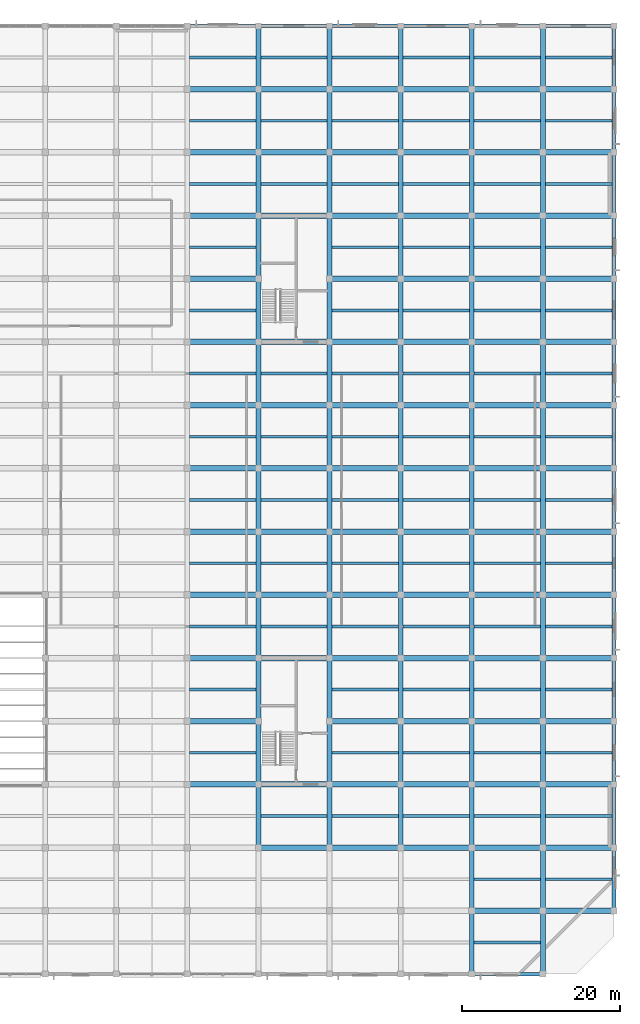
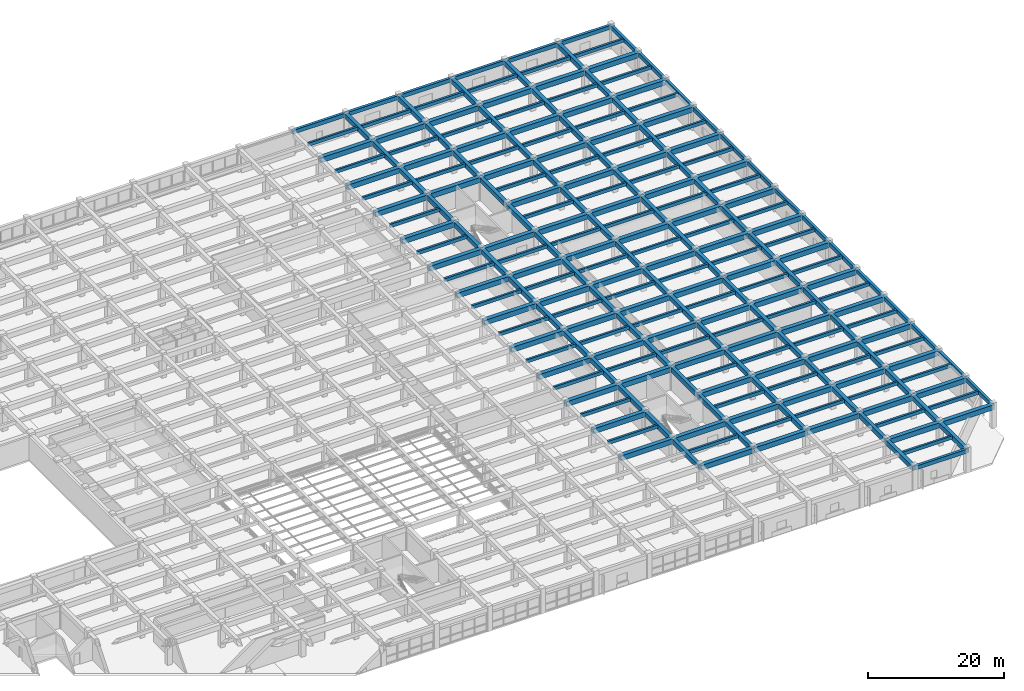
# One storey, part 19 of 50: 243 beams.
"""IFC4 building model written with IfcOpenShell, lengths in metres."""

import ifcopenshell
import ifcopenshell.guid

model = None  # the IFC model being written
_history = None  # IfcOwnerHistory: only IFC2X3 demands one
_inside = {}  # id of a spatial element -> (the spatial element, [elements in it])
_under = {}  # id of a project, library or spatial element -> (it, [spatial elements below it])
_declared = {}  # id of a project -> (the project, [libraries it declares])
_typed = {}  # id of a type object -> (the type object, [elements of that type])
_made_of = {}  # id of a material, layer set ... -> (it, [elements and type objects made of it])


def new_model(schema):
    """Start an empty IFC model of exactly this schema.

    Asked for "IFC4X3", IfcOpenShell would pick the latest addendum, in which some entities
    have other attributes; the version numbers below select the first issue.
    IFC2X3 requires an IfcOwnerHistory on every rooted entity: one is made here for all.
    """
    global model, _history
    if schema == "IFC4X3":
        model = ifcopenshell.file(schema_version=(4, 3, 0, 0))
    else:
        model = ifcopenshell.file(schema=schema)
    _inside.clear()
    _under.clear()
    _declared.clear()
    _typed.clear()
    _made_of.clear()
    _history = None
    if model.schema == "IFC2X3":
        org = make("IfcOrganization", Name="unknown")
        user = make(
            "IfcPersonAndOrganization",
            ThePerson=make("IfcPerson", FamilyName="unknown"),
            TheOrganization=org,
        )
        app = make(
            "IfcApplication",
            ApplicationDeveloper=org,
            Version="unknown",
            ApplicationFullName="unknown",
            ApplicationIdentifier="unknown",
        )
        _history = make(
            "IfcOwnerHistory",
            OwningUser=user,
            OwningApplication=app,
            ChangeAction="ADDED",
            CreationDate=0,
        )
    return model


def make(cls, **values):
    """One entity of the class cls with the attributes given. An attribute that is None is left unset."""
    return model.create_entity(
        cls, **{name: value for name, value in values.items() if value is not None}
    )


def rooted(cls, **values):
    """An entity with a GlobalId (a new one), such as an element, a storey or a relation."""
    return make(cls, GlobalId=ifcopenshell.guid.new(), OwnerHistory=_history, **values)


def si_unit(unit_type, name, prefix=None):
    """IfcSIUnit, for example si_unit("LENGTHUNIT", "METRE", prefix="MILLI")."""
    return make("IfcSIUnit", UnitType=unit_type, Prefix=prefix, Name=name)


def assignment(units):
    """IfcUnitAssignment: the units of a project."""
    return None if units is None else make("IfcUnitAssignment", Units=units)


def point(xyz):
    """IfcCartesianPoint."""
    return None if xyz is None else make("IfcCartesianPoint", Coordinates=xyz)


def direction(xyz):
    """IfcDirection."""
    return None if xyz is None else make("IfcDirection", DirectionRatios=xyz)


def frame(location, z_axis=None, x_axis=None):
    """IfcAxis2Placement3D, a coordinate frame: its origin and axes. An axis left out is left unset."""
    return make(
        "IfcAxis2Placement3D",
        Location=point(location),
        Axis=direction(z_axis),
        RefDirection=direction(x_axis),
    )


def frame_2d(location, x_axis=None):
    """IfcAxis2Placement2D, a coordinate frame in the plane: its origin and x axis."""
    return make(
        "IfcAxis2Placement2D", Location=point(location), RefDirection=direction(x_axis)
    )


def origin():
    """The frame at (0, 0, 0) with its axes left unset."""
    return frame((0.0, 0.0, 0.0))


def origin_2d():
    """The frame at (0, 0) in the plane with its x axis left unset."""
    return frame_2d((0.0, 0.0))


def place(relative_to, where):
    """IfcLocalPlacement: puts the frame where relative to a parent placement (None: the world)."""
    return make(
        "IfcLocalPlacement", PlacementRelTo=relative_to, RelativePlacement=where
    )


def context(
    kind, dimensions, precision=None, world=None, true_north=None, identifier=None
):
    """IfcGeometricRepresentationContext, for example the 3D "Model" context."""
    return make(
        "IfcGeometricRepresentationContext",
        ContextIdentifier=identifier,
        ContextType=kind,
        CoordinateSpaceDimension=dimensions,
        Precision=precision,
        WorldCoordinateSystem=world,
        TrueNorth=true_north,
    )


def subcontext(parent, identifier, kind, view, scale=None):
    """IfcGeometricRepresentationSubContext, for example "Body" below "Model"."""
    return make(
        "IfcGeometricRepresentationSubContext",
        ContextIdentifier=identifier,
        ContextType=kind,
        ParentContext=parent,
        TargetScale=scale,
        TargetView=view,
    )


def project(units=None, contexts=None):
    """IfcProject with its units and contexts."""
    return rooted(
        "IfcProject",
        Name="project",
        RepresentationContexts=contexts,
        UnitsInContext=assignment(units),
    )


def spatial(cls, under=None, at=None, **own):
    """A site, building, storey or space (cls), placed at a placement, below another one or the project."""
    s = rooted(cls, ObjectPlacement=at, **own)
    if under is not None:
        _under.setdefault(under.id(), (under, []))[1].append(s)
    return s


def profile(cls, at=None, kind="AREA", **sizes):
    """A parametric profile (cls). Its sizes go by their IFC names, for example OverallWidth=200.0."""
    return make(cls, ProfileType=kind, Position=at, **sizes)


def rectangle(**sizes):
    """IfcRectangleProfileDef."""
    return profile("IfcRectangleProfileDef", **sizes)


def extrude(swept, where, along, depth):
    """IfcExtrudedAreaSolid: the profile swept, set in the frame where, extruded along a direction by depth."""
    return make(
        "IfcExtrudedAreaSolid",
        SweptArea=swept,
        Position=where,
        ExtrudedDirection=direction(along),
        Depth=depth,
    )


def shape(context_of_items, identifier, shape_type, items):
    """IfcShapeRepresentation: the items that make up one representation, for example the "Body"."""
    return make(
        "IfcShapeRepresentation",
        ContextOfItems=context_of_items,
        RepresentationIdentifier=identifier,
        RepresentationType=shape_type,
        Items=items,
    )


def material(Name=None, Category=None):
    """IfcMaterial."""
    return make("IfcMaterial", Name=Name, Category=Category)


def material_profile(
    of_material, cross_section, Name=None, Category=None, Priority=None
):
    """IfcMaterialProfile: a cross section and its material."""
    return make(
        "IfcMaterialProfile",
        Name=Name,
        Material=of_material,
        Profile=cross_section,
        Priority=Priority,
        Category=Category,
    )


def profile_set(profiles, Name=None, composite=None):
    """IfcMaterialProfileSet."""
    return make(
        "IfcMaterialProfileSet",
        Name=Name,
        MaterialProfiles=profiles,
        CompositeProfile=composite,
    )


def made_of(thing, what):
    """Note that an element or type object is made of a material, layer set ...; save() writes the relation."""
    if what is not None:
        _made_of.setdefault(what.id(), (what, []))[1].append(thing)
    return thing


def type_object(cls, material=None, **own):
    """A type object (cls), such as IfcWallType, which elements share."""
    return made_of(rooted(cls, **own), material)


def element(
    cls,
    number,
    at=None,
    inside=None,
    cuts=None,
    type_object=None,
    material=None,
    context=None,
    identifier="Body",
    shape_type=None,
    held_by="IfcProductDefinitionShape",
    body=None,
    shapes=None,
    **own,
):
    """One element of the class cls, such as IfcWall. Its Tag is "e" and its number.

    at: its placement. inside: the storey or other place that contains it. cuts: it is an
    opening in that element (IfcRelVoidsElement). A single representation is given by context,
    identifier, shape_type and body (its items); several are given by shapes. held_by: the class
    of the entity that holds the representations. save() writes the other relations.
    """
    e = rooted(cls, Tag="e%d" % number, ObjectPlacement=at, **own)
    if body is not None:
        shapes = [shape(context, identifier, shape_type, body)]
    if shapes is not None:
        e.Representation = make(held_by, Representations=shapes)
    if inside is not None:
        _inside.setdefault(inside.id(), (inside, []))[1].append(e)
    if cuts is not None:
        rooted(
            "IfcRelVoidsElement", RelatingBuildingElement=cuts, RelatedOpeningElement=e
        )
    if type_object is not None:
        _typed.setdefault(type_object.id(), (type_object, []))[1].append(e)
    return made_of(e, material)


def aggregate(whole, parts):
    """IfcRelAggregates: a whole, such as a stair, and the parts it consists of."""
    return rooted("IfcRelAggregates", RelatingObject=whole, RelatedObjects=parts)


def save(model, path):
    """Write the relations noted so far, then the file.

    IfcRelAggregates (storeys below a building ...), IfcRelContainedInSpatialStructure (elements
    in a storey), IfcRelDefinesByType, IfcRelAssociatesMaterial and IfcRelDeclares: one each for
    every whole, place, type object, material and project.
    """
    for whole, parts in _under.values():
        aggregate(whole, parts)
    for where, things in _inside.values():
        rooted(
            "IfcRelContainedInSpatialStructure",
            RelatedElements=things,
            RelatingStructure=where,
        )
    for kind, things in _typed.values():
        rooted("IfcRelDefinesByType", RelatedObjects=things, RelatingType=kind)
    for what, things in _made_of.values():
        rooted("IfcRelAssociatesMaterial", RelatedObjects=things, RelatingMaterial=what)
    for by, libraries in _declared.values():
        rooted("IfcRelDeclares", RelatingContext=by, RelatedDefinitions=libraries)
    model.write(path)


model = new_model("IFC4")

# Units and contexts
model_context = context("Model", 3, precision=1e-05, world=origin(), true_north=direction((0.0, 1.0)))
body_context = subcontext(model_context, "Body", "Model", "MODEL_VIEW")
ifc_project = project(units=[si_unit("LENGTHUNIT", "METRE"), si_unit("AREAUNIT", "SQUARE_METRE"), si_unit("VOLUMEUNIT", "CUBIC_METRE"), si_unit("PLANEANGLEUNIT", "RADIAN"), si_unit("MASSUNIT", "GRAM", prefix="KILO")], contexts=[model_context])

# Site, building, storey
site_placement = place(None, origin())
site = spatial("IfcSite", under=ifc_project, at=site_placement, CompositionType="ELEMENT")
building_placement = place(site_placement, origin())
building = spatial("IfcBuilding", under=site, at=building_placement, Name="Zaverband Oceanarium and Marine Research Institute", CompositionType="ELEMENT")
storey_placement = place(building_placement, frame((0.0, 0.0, 9.0)))
storey = spatial("IfcBuildingStorey", under=building, at=storey_placement, Name="L02", CompositionType="ELEMENT", Elevation=9.0)

# Beams
ifc_material = material(Name="Concrete C40/50", Category="concrete")
ifc_material_profile_1 = material_profile(ifc_material, rectangle(XDim=0.60009765625, YDim=0.85009765625, at=origin_2d()), Name="RC600x850")
ifc_profile_set_1 = profile_set([ifc_material_profile_1], Name="Concrete C40/50")
beam_type_1 = type_object("IfcBeamType", Name="BM-600x850", PredefinedType="BEAM", material=ifc_profile_set_1)
for number, where, z_axis, x_axis, name in (
    (1, (135.0, 16.0, 3.715087890625), (0.0, 1.0, 0.0), (-1.0, 0.0, 0.0), "Primary floor girder BM-600x850"),
    (2, (135.0, 24.0, 3.715087890625), (0.0, 1.0, 0.0), (-1.0, 0.0, 0.0), "Primary floor girder BM-600x850"),
    (3, (135.0, 32.0, 3.715087890625), (0.0, 1.0, 0.0), (-1.0, 0.0, 0.0), "Primary floor girder BM-600x850"),
    (4, (135.0, 40.0, 3.715087890625), (0.0, 1.0, 0.0), (-1.0, 0.0, 0.0), "Primary floor girder BM-600x850"),
    (5, (135.0, 48.0, 3.715087890625), (0.0, 1.0, 0.0), (-1.0, 0.0, 0.0), "Primary floor girder BM-600x850"),
    (6, (135.0, 56.0, 3.715087890625), (0.0, 1.0, 0.0), (-1.0, 0.0, 0.0), "Primary floor girder BM-600x850"),
    (7, (135.0, 64.0, 3.715087890625), (0.0, 1.0, 0.0), (-1.0, 0.0, 0.0), "Primary floor girder BM-600x850"),
    (8, (135.0, 72.0, 3.715087890625), (0.0, 1.0, 0.0), (-1.0, 0.0, 0.0), "Primary floor girder BM-600x850"),
    (9, (135.0, 80.0, 3.715087890625), (0.0, 1.0, 0.0), (-1.0, 0.0, 0.0), "Primary floor girder BM-600x850"),
    (10, (135.0, 88.0, 3.715087890625), (0.0, 1.0, 0.0), (-1.0, 0.0, 0.0), "Primary floor girder BM-600x850"),
    (11, (135.0, 96.0, 3.715087890625), (0.0, 1.0, 0.0), (-1.0, 0.0, 0.0), "Primary floor girder BM-600x850"),
    (12, (135.0, 104.0, 3.715087890625), (0.0, 1.0, 0.0), (-1.0, 0.0, 0.0), "Primary floor girder BM-600x850"),
    (13, (135.0, 112.0, 3.715087890625), (0.0, 1.0, 0.0), (-1.0, 0.0, 0.0), "Primary floor girder BM-600x850"),
    (14, (144.0, 16.0, 3.715087890625), (0.0, 1.0, 0.0), (-1.0, 0.0, 0.0), "Primary floor girder BM-600x850"),
    (15, (144.0, 24.0, 3.715087890625), (0.0, 1.0, 0.0), (-1.0, 0.0, 0.0), "Primary floor girder BM-600x850"),
    (16, (144.0, 32.0, 3.715087890625), (0.0, 1.0, 0.0), (-1.0, 0.0, 0.0), "Primary floor girder BM-600x850"),
    (17, (144.0, 40.0, 3.715087890625), (0.0, 1.0, 0.0), (-1.0, 0.0, 0.0), "Primary floor girder BM-600x850"),
    (18, (144.0, 48.0, 3.715087890625), (0.0, 1.0, 0.0), (-1.0, 0.0, 0.0), "Primary floor girder BM-600x850"),
    (19, (144.0, 56.0, 3.715087890625), (0.0, 1.0, 0.0), (-1.0, 0.0, 0.0), "Primary floor girder BM-600x850"),
    (20, (144.0, 64.0, 3.715087890625), (0.0, 1.0, 0.0), (-1.0, 0.0, 0.0), "Primary floor girder BM-600x850"),
    (21, (144.0, 72.0, 3.715087890625), (0.0, 1.0, 0.0), (-1.0, 0.0, 0.0), "Primary floor girder BM-600x850"),
    (22, (144.0, 80.0, 3.715087890625), (0.0, 1.0, 0.0), (-1.0, 0.0, 0.0), "Primary floor girder BM-600x850"),
    (23, (144.0, 88.0, 3.715087890625), (0.0, 1.0, 0.0), (-1.0, 0.0, 0.0), "Primary floor girder BM-600x850"),
    (24, (144.0, 96.0, 3.715087890625), (0.0, 1.0, 0.0), (-1.0, 0.0, 0.0), "Primary floor girder BM-600x850"),
    (25, (144.0, 104.0, 3.715087890625), (0.0, 1.0, 0.0), (-1.0, 0.0, 0.0), "Primary floor girder BM-600x850"),
    (26, (144.0, 112.0, 3.715087890625), (0.0, 1.0, 0.0), (-1.0, 0.0, 0.0), "Primary floor girder BM-600x850"),
    (27, (153.0, 16.0, 3.715087890625), (0.0, 1.0, 0.0), (-1.0, 0.0, 0.0), "Primary floor girder BM-600x850"),
    (28, (153.0, 24.0, 3.715087890625), (0.0, 1.0, 0.0), (-1.0, 0.0, 0.0), "Primary floor girder BM-600x850"),
    (29, (153.0, 32.0, 3.715087890625), (0.0, 1.0, 0.0), (-1.0, 0.0, 0.0), "Primary floor girder BM-600x850"),
    (30, (153.0, 40.0, 3.715087890625), (0.0, 1.0, 0.0), (-1.0, 0.0, 0.0), "Primary floor girder BM-600x850"),
    (31, (153.0, 48.0, 3.715087890625), (0.0, 1.0, 0.0), (-1.0, 0.0, 0.0), "Primary floor girder BM-600x850"),
    (32, (153.0, 56.0, 3.715087890625), (0.0, 1.0, 0.0), (-1.0, 0.0, 0.0), "Primary floor girder BM-600x850"),
    (33, (153.0, 64.0, 3.715087890625), (0.0, 1.0, 0.0), (-1.0, 0.0, 0.0), "Primary floor girder BM-600x850"),
    (34, (153.0, 72.0, 3.715087890625), (0.0, 1.0, 0.0), (-1.0, 0.0, 0.0), "Primary floor girder BM-600x850"),
    (35, (153.0, 80.0, 3.715087890625), (0.0, 1.0, 0.0), (-1.0, 0.0, 0.0), "Primary floor girder BM-600x850"),
    (36, (153.0, 88.0, 3.715087890625), (0.0, 1.0, 0.0), (-1.0, 0.0, 0.0), "Primary floor girder BM-600x850"),
    (37, (153.0, 96.0, 3.715087890625), (0.0, 1.0, 0.0), (-1.0, 0.0, 0.0), "Primary floor girder BM-600x850"),
    (38, (153.0, 104.0, 3.715087890625), (0.0, 1.0, 0.0), (-1.0, 0.0, 0.0), "Primary floor girder BM-600x850"),
    (39, (153.0, 112.0, 3.715087890625), (0.0, 1.0, 0.0), (-1.0, 0.0, 0.0), "Primary floor girder BM-600x850"),
    (40, (162.0, 0.0, 3.715087890625), (0.0, 1.0, 0.0), (-1.0, 0.0, 0.0), "Primary floor girder BM-600x850"),
    (41, (162.0, 8.0, 3.715087890625), (0.0, 1.0, 0.0), (-1.0, 0.0, 0.0), "Primary floor girder BM-600x850"),
    (42, (162.0, 16.0, 3.715087890625), (0.0, 1.0, 0.0), (-1.0, 0.0, 0.0), "Primary floor girder BM-600x850"),
    (43, (162.0, 24.0, 3.715087890625), (0.0, 1.0, 0.0), (-1.0, 0.0, 0.0), "Primary floor girder BM-600x850"),
    (44, (162.0, 32.0, 3.715087890625), (0.0, 1.0, 0.0), (-1.0, 0.0, 0.0), "Primary floor girder BM-600x850"),
    (45, (162.0, 40.0, 3.715087890625), (0.0, 1.0, 0.0), (-1.0, 0.0, 0.0), "Primary floor girder BM-600x850"),
    (46, (162.0, 48.0, 3.715087890625), (0.0, 1.0, 0.0), (-1.0, 0.0, 0.0), "Primary floor girder BM-600x850"),
    (47, (162.0, 56.0, 3.715087890625), (0.0, 1.0, 0.0), (-1.0, 0.0, 0.0), "Primary floor girder BM-600x850"),
    (48, (162.0, 64.0, 3.715087890625), (0.0, 1.0, 0.0), (-1.0, 0.0, 0.0), "Primary floor girder BM-600x850"),
    (49, (162.0, 72.0, 3.715087890625), (0.0, 1.0, 0.0), (-1.0, 0.0, 0.0), "Primary floor girder BM-600x850"),
    (50, (162.0, 80.0, 3.715087890625), (0.0, 1.0, 0.0), (-1.0, 0.0, 0.0), "Primary floor girder BM-600x850"),
    (51, (162.0, 88.0, 3.715087890625), (0.0, 1.0, 0.0), (-1.0, 0.0, 0.0), "Primary floor girder BM-600x850"),
    (52, (162.0, 96.0, 3.715087890625), (0.0, 1.0, 0.0), (-1.0, 0.0, 0.0), "Primary floor girder BM-600x850"),
    (53, (162.0, 104.0, 3.715087890625), (0.0, 1.0, 0.0), (-1.0, 0.0, 0.0), "Primary floor girder BM-600x850"),
    (54, (162.0, 112.0, 3.715087890625), (0.0, 1.0, 0.0), (-1.0, 0.0, 0.0), "Primary floor girder BM-600x850"),
    (55, (171.0, 0.0, 3.715087890625), (0.0, 1.0, 0.0), (-1.0, 0.0, 0.0), "Primary floor girder BM-600x850"),
    (56, (171.0, 8.0, 3.715087890625), (0.0, 1.0, 0.0), (-1.0, 0.0, 0.0), "Primary floor girder BM-600x850"),
    (57, (171.0, 16.0, 3.715087890625), (0.0, 1.0, 0.0), (-1.0, 0.0, 0.0), "Primary floor girder BM-600x850"),
    (58, (171.0, 24.0, 3.715087890625), (0.0, 1.0, 0.0), (-1.0, 0.0, 0.0), "Primary floor girder BM-600x850"),
    (59, (171.0, 32.0, 3.715087890625), (0.0, 1.0, 0.0), (-1.0, 0.0, 0.0), "Primary floor girder BM-600x850"),
    (60, (171.0, 40.0, 3.715087890625), (0.0, 1.0, 0.0), (-1.0, 0.0, 0.0), "Primary floor girder BM-600x850"),
    (61, (171.0, 48.0, 3.715087890625), (0.0, 1.0, 0.0), (-1.0, 0.0, 0.0), "Primary floor girder BM-600x850"),
    (62, (171.0, 56.0, 3.715087890625), (0.0, 1.0, 0.0), (-1.0, 0.0, 0.0), "Primary floor girder BM-600x850"),
    (63, (171.0, 64.0, 3.715087890625), (0.0, 1.0, 0.0), (-1.0, 0.0, 0.0), "Primary floor girder BM-600x850"),
    (64, (171.0, 72.0, 3.715087890625), (0.0, 1.0, 0.0), (-1.0, 0.0, 0.0), "Primary floor girder BM-600x850"),
    (65, (171.0, 80.0, 3.715087890625), (0.0, 1.0, 0.0), (-1.0, 0.0, 0.0), "Primary floor girder BM-600x850"),
    (66, (171.0, 88.0, 3.715087890625), (0.0, 1.0, 0.0), (-1.0, 0.0, 0.0), "Primary floor girder BM-600x850"),
    (67, (171.0, 96.0, 3.715087890625), (0.0, 1.0, 0.0), (-1.0, 0.0, 0.0), "Primary floor girder BM-600x850"),
    (68, (171.0, 104.0, 3.715087890625), (0.0, 1.0, 0.0), (-1.0, 0.0, 0.0), "Primary floor girder BM-600x850"),
    (69, (171.0, 112.0, 3.715087890625), (0.0, 1.0, 0.0), (-1.0, 0.0, 0.0), "Primary floor girder BM-600x850"),
):
    element("IfcBeam", number, at=place(storey_placement, frame(where, z_axis=z_axis, x_axis=x_axis)), inside=storey, type_object=beam_type_1, Name=name, PredefinedType="BEAM", context=body_context, shape_type="SweptSolid", body=[
        extrude(rectangle(XDim=0.60009765625, YDim=0.85009765625, at=origin_2d()), origin(), (0.0, 0.0, 1.0), 8.0),
    ])
ifc_material_profile_2 = material_profile(ifc_material, rectangle(XDim=0.699951171875, YDim=0.89990234375, at=origin_2d()), Name="RC700x900")
ifc_profile_set_2 = profile_set([ifc_material_profile_2], Name="Concrete C40/50")
beam_type_2 = type_object("IfcBeamType", Name="BM-700x900", PredefinedType="BEAM", material=ifc_profile_set_2)
for number, where, z_axis, x_axis, name in (
    (70, (162.0, 8.0, 3.68994140625), (1.0, 0.0, 0.0), (0.0, 1.0, 0.0), "Primary floor girder BM-700x900"),
    (71, (171.0, 8.0, 3.68994140625), (1.0, 0.0, 0.0), (0.0, 1.0, 0.0), "Primary floor girder BM-700x900"),
    (72, (135.0, 16.0, 3.68994140625), (1.0, 0.0, 0.0), (0.0, 1.0, 0.0), "Primary floor girder BM-700x900"),
    (73, (144.0, 16.0, 3.68994140625), (1.0, 0.0, 0.0), (0.0, 1.0, 0.0), "Primary floor girder BM-700x900"),
    (74, (153.0, 16.0, 3.68994140625), (1.0, 0.0, 0.0), (0.0, 1.0, 0.0), "Primary floor girder BM-700x900"),
    (75, (162.0, 16.0, 3.68994140625), (1.0, 0.0, 0.0), (0.0, 1.0, 0.0), "Primary floor girder BM-700x900"),
    (76, (171.0, 16.0, 3.68994140625), (1.0, 0.0, 0.0), (0.0, 1.0, 0.0), "Primary floor girder BM-700x900"),
    (77, (126.0, 24.0, 3.68994140625), (1.0, 0.0, 0.0), (0.0, 1.0, 0.0), "Primary floor girder BM-700x900"),
    (78, (135.0, 24.0, 3.68994140625), (1.0, 0.0, 0.0), (0.0, 1.0, 0.0), "Primary floor girder BM-700x900"),
    (79, (144.0, 24.0, 3.68994140625), (1.0, 0.0, 0.0), (0.0, 1.0, 0.0), "Primary floor girder BM-700x900"),
    (80, (153.0, 24.0, 3.68994140625), (1.0, 0.0, 0.0), (0.0, 1.0, 0.0), "Primary floor girder BM-700x900"),
    (81, (162.0, 24.0, 3.68994140625), (1.0, 0.0, 0.0), (0.0, 1.0, 0.0), "Primary floor girder BM-700x900"),
    (82, (171.0, 24.0, 3.68994140625), (1.0, 0.0, 0.0), (0.0, 1.0, 0.0), "Primary floor girder BM-700x900"),
    (83, (126.0, 32.0, 3.68994140625), (1.0, 0.0, 0.0), (0.0, 1.0, 0.0), "Primary floor girder BM-700x900"),
    (84, (144.0, 32.0, 3.68994140625), (1.0, 0.0, 0.0), (0.0, 1.0, 0.0), "Primary floor girder BM-700x900"),
    (85, (153.0, 32.0, 3.68994140625), (1.0, 0.0, 0.0), (0.0, 1.0, 0.0), "Primary floor girder BM-700x900"),
    (86, (162.0, 32.0, 3.68994140625), (1.0, 0.0, 0.0), (0.0, 1.0, 0.0), "Primary floor girder BM-700x900"),
    (87, (171.0, 32.0, 3.68994140625), (1.0, 0.0, 0.0), (0.0, 1.0, 0.0), "Primary floor girder BM-700x900"),
    (88, (126.0, 40.0, 3.68994140625), (1.0, 0.0, 0.0), (0.0, 1.0, 0.0), "Primary floor girder BM-700x900"),
    (89, (135.0, 40.0, 3.68994140625), (1.0, 0.0, 0.0), (0.0, 1.0, 0.0), "Primary floor girder BM-700x900"),
    (90, (144.0, 40.0, 3.68994140625), (1.0, 0.0, 0.0), (0.0, 1.0, 0.0), "Primary floor girder BM-700x900"),
    (91, (153.0, 40.0, 3.68994140625), (1.0, 0.0, 0.0), (0.0, 1.0, 0.0), "Primary floor girder BM-700x900"),
    (92, (162.0, 40.0, 3.68994140625), (1.0, 0.0, 0.0), (0.0, 1.0, 0.0), "Primary floor girder BM-700x900"),
    (93, (171.0, 40.0, 3.68994140625), (1.0, 0.0, 0.0), (0.0, 1.0, 0.0), "Primary floor girder BM-700x900"),
    (94, (126.0, 48.0, 3.68994140625), (1.0, 0.0, 0.0), (0.0, 1.0, 0.0), "Primary floor girder BM-700x900"),
    (95, (135.0, 48.0, 3.68994140625), (1.0, 0.0, 0.0), (0.0, 1.0, 0.0), "Primary floor girder BM-700x900"),
    (96, (144.0, 48.0, 3.68994140625), (1.0, 0.0, 0.0), (0.0, 1.0, 0.0), "Primary floor girder BM-700x900"),
    (97, (153.0, 48.0, 3.68994140625), (1.0, 0.0, 0.0), (0.0, 1.0, 0.0), "Primary floor girder BM-700x900"),
    (98, (162.0, 48.0, 3.68994140625), (1.0, 0.0, 0.0), (0.0, 1.0, 0.0), "Primary floor girder BM-700x900"),
    (99, (171.0, 48.0, 3.68994140625), (1.0, 0.0, 0.0), (0.0, 1.0, 0.0), "Primary floor girder BM-700x900"),
    (100, (126.0, 56.0, 3.68994140625), (1.0, 0.0, 0.0), (0.0, 1.0, 0.0), "Primary floor girder BM-700x900"),
    (101, (135.0, 56.0, 3.68994140625), (1.0, 0.0, 0.0), (0.0, 1.0, 0.0), "Primary floor girder BM-700x900"),
    (102, (144.0, 56.0, 3.68994140625), (1.0, 0.0, 0.0), (0.0, 1.0, 0.0), "Primary floor girder BM-700x900"),
    (103, (153.0, 56.0, 3.68994140625), (1.0, 0.0, 0.0), (0.0, 1.0, 0.0), "Primary floor girder BM-700x900"),
    (104, (162.0, 56.0, 3.68994140625), (1.0, 0.0, 0.0), (0.0, 1.0, 0.0), "Primary floor girder BM-700x900"),
    (105, (171.0, 56.0, 3.68994140625), (1.0, 0.0, 0.0), (0.0, 1.0, 0.0), "Primary floor girder BM-700x900"),
    (106, (126.0, 64.0, 3.68994140625), (1.0, 0.0, 0.0), (0.0, 1.0, 0.0), "Primary floor girder BM-700x900"),
    (107, (135.0, 64.0, 3.68994140625), (1.0, 0.0, 0.0), (0.0, 1.0, 0.0), "Primary floor girder BM-700x900"),
    (108, (144.0, 64.0, 3.68994140625), (1.0, 0.0, 0.0), (0.0, 1.0, 0.0), "Primary floor girder BM-700x900"),
    (109, (153.0, 64.0, 3.68994140625), (1.0, 0.0, 0.0), (0.0, 1.0, 0.0), "Primary floor girder BM-700x900"),
    (110, (162.0, 64.0, 3.68994140625), (1.0, 0.0, 0.0), (0.0, 1.0, 0.0), "Primary floor girder BM-700x900"),
    (111, (171.0, 64.0, 3.68994140625), (1.0, 0.0, 0.0), (0.0, 1.0, 0.0), "Primary floor girder BM-700x900"),
    (112, (126.0, 72.0, 3.68994140625), (1.0, 0.0, 0.0), (0.0, 1.0, 0.0), "Primary floor girder BM-700x900"),
    (113, (135.0, 72.0, 3.68994140625), (1.0, 0.0, 0.0), (0.0, 1.0, 0.0), "Primary floor girder BM-700x900"),
    (114, (144.0, 72.0, 3.68994140625), (1.0, 0.0, 0.0), (0.0, 1.0, 0.0), "Primary floor girder BM-700x900"),
    (115, (153.0, 72.0, 3.68994140625), (1.0, 0.0, 0.0), (0.0, 1.0, 0.0), "Primary floor girder BM-700x900"),
    (116, (162.0, 72.0, 3.68994140625), (1.0, 0.0, 0.0), (0.0, 1.0, 0.0), "Primary floor girder BM-700x900"),
    (117, (171.0, 72.0, 3.68994140625), (1.0, 0.0, 0.0), (0.0, 1.0, 0.0), "Primary floor girder BM-700x900"),
    (118, (126.0, 80.0, 3.68994140625), (1.0, 0.0, 0.0), (0.0, 1.0, 0.0), "Primary floor girder BM-700x900"),
    (119, (135.0, 80.0, 3.68994140625), (1.0, 0.0, 0.0), (0.0, 1.0, 0.0), "Primary floor girder BM-700x900"),
    (120, (144.0, 80.0, 3.68994140625), (1.0, 0.0, 0.0), (0.0, 1.0, 0.0), "Primary floor girder BM-700x900"),
    (121, (153.0, 80.0, 3.68994140625), (1.0, 0.0, 0.0), (0.0, 1.0, 0.0), "Primary floor girder BM-700x900"),
    (122, (162.0, 80.0, 3.68994140625), (1.0, 0.0, 0.0), (0.0, 1.0, 0.0), "Primary floor girder BM-700x900"),
    (123, (171.0, 80.0, 3.68994140625), (1.0, 0.0, 0.0), (0.0, 1.0, 0.0), "Primary floor girder BM-700x900"),
    (124, (126.0, 88.0, 3.68994140625), (1.0, 0.0, 0.0), (0.0, 1.0, 0.0), "Primary floor girder BM-700x900"),
    (125, (144.0, 88.0, 3.68994140625), (1.0, 0.0, 0.0), (0.0, 1.0, 0.0), "Primary floor girder BM-700x900"),
    (126, (153.0, 88.0, 3.68994140625), (1.0, 0.0, 0.0), (0.0, 1.0, 0.0), "Primary floor girder BM-700x900"),
    (127, (162.0, 88.0, 3.68994140625), (1.0, 0.0, 0.0), (0.0, 1.0, 0.0), "Primary floor girder BM-700x900"),
    (128, (171.0, 88.0, 3.68994140625), (1.0, 0.0, 0.0), (0.0, 1.0, 0.0), "Primary floor girder BM-700x900"),
    (129, (126.0, 96.0, 3.68994140625), (1.0, 0.0, 0.0), (0.0, 1.0, 0.0), "Primary floor girder BM-700x900"),
    (130, (135.0, 96.0, 3.68994140625), (1.0, 0.0, 0.0), (0.0, 1.0, 0.0), "Primary floor girder BM-700x900"),
    (131, (144.0, 96.0, 3.68994140625), (1.0, 0.0, 0.0), (0.0, 1.0, 0.0), "Primary floor girder BM-700x900"),
    (132, (153.0, 96.0, 3.68994140625), (1.0, 0.0, 0.0), (0.0, 1.0, 0.0), "Primary floor girder BM-700x900"),
    (133, (162.0, 96.0, 3.68994140625), (1.0, 0.0, 0.0), (0.0, 1.0, 0.0), "Primary floor girder BM-700x900"),
    (134, (171.0, 96.0, 3.68994140625), (1.0, 0.0, 0.0), (0.0, 1.0, 0.0), "Primary floor girder BM-700x900"),
    (135, (126.0, 104.0, 3.68994140625), (1.0, 0.0, 0.0), (0.0, 1.0, 0.0), "Primary floor girder BM-700x900"),
    (136, (135.0, 104.0, 3.68994140625), (1.0, 0.0, 0.0), (0.0, 1.0, 0.0), "Primary floor girder BM-700x900"),
    (137, (144.0, 104.0, 3.68994140625), (1.0, 0.0, 0.0), (0.0, 1.0, 0.0), "Primary floor girder BM-700x900"),
    (138, (153.0, 104.0, 3.68994140625), (1.0, 0.0, 0.0), (0.0, 1.0, 0.0), "Primary floor girder BM-700x900"),
    (139, (162.0, 104.0, 3.68994140625), (1.0, 0.0, 0.0), (0.0, 1.0, 0.0), "Primary floor girder BM-700x900"),
    (140, (171.0, 104.0, 3.68994140625), (1.0, 0.0, 0.0), (0.0, 1.0, 0.0), "Primary floor girder BM-700x900"),
    (141, (126.0, 112.0, 3.68994140625), (1.0, 0.0, 0.0), (0.0, 1.0, 0.0), "Primary floor girder BM-700x900"),
    (142, (135.0, 112.0, 3.68994140625), (1.0, 0.0, 0.0), (0.0, 1.0, 0.0), "Primary floor girder BM-700x900"),
    (143, (144.0, 112.0, 3.68994140625), (1.0, 0.0, 0.0), (0.0, 1.0, 0.0), "Primary floor girder BM-700x900"),
    (144, (153.0, 112.0, 3.68994140625), (1.0, 0.0, 0.0), (0.0, 1.0, 0.0), "Primary floor girder BM-700x900"),
    (145, (162.0, 112.0, 3.68994140625), (1.0, 0.0, 0.0), (0.0, 1.0, 0.0), "Primary floor girder BM-700x900"),
    (146, (171.0, 112.0, 3.68994140625), (1.0, 0.0, 0.0), (0.0, 1.0, 0.0), "Primary floor girder BM-700x900"),
):
    element("IfcBeam", number, at=place(storey_placement, frame(where, z_axis=z_axis, x_axis=x_axis)), inside=storey, type_object=beam_type_2, Name=name, PredefinedType="BEAM", context=body_context, shape_type="SweptSolid", body=[
        extrude(rectangle(XDim=0.699951171875, YDim=0.89990234375, at=origin_2d()), origin(), (0.0, 0.0, 1.0), 9.0),
    ])
ifc_material_profile_3 = material_profile(ifc_material, rectangle(XDim=0.35009765625, YDim=0.60009765625, at=origin_2d()), Name="RC350x600")
ifc_profile_set_3 = profile_set([ifc_material_profile_3], Name="Concrete C40/50")
beam_type_3 = type_object("IfcBeamType", Name="JST-350x600", PredefinedType="JOIST", material=ifc_profile_set_3)
for number, where, z_axis, x_axis, name in (
    (147, (126.300048828125, 28.0, 3.840087890625), (1.0, 0.0, 0.0), (0.0, 1.0, 0.0), "Secondary floor joist JST-350x600"),
    (148, (126.300048828125, 36.0, 3.840087890625), (1.0, 0.0, 0.0), (0.0, 1.0, 0.0), "Secondary floor joist JST-350x600"),
    (149, (126.300048828125, 44.0, 3.840087890625), (1.0, 0.0, 0.0), (0.0, 1.0, 0.0), "Secondary floor joist JST-350x600"),
    (150, (126.300048828125, 52.0, 3.840087890625), (1.0, 0.0, 0.0), (0.0, 1.0, 0.0), "Secondary floor joist JST-350x600"),
    (151, (126.300048828125, 60.0, 3.840087890625), (1.0, 0.0, 0.0), (0.0, 1.0, 0.0), "Secondary floor joist JST-350x600"),
    (152, (126.300048828125, 68.0, 3.840087890625), (1.0, 0.0, 0.0), (0.0, 1.0, 0.0), "Secondary floor joist JST-350x600"),
    (153, (126.300048828125, 76.0, 3.840087890625), (1.0, 0.0, 0.0), (0.0, 1.0, 0.0), "Secondary floor joist JST-350x600"),
    (154, (126.300048828125, 84.0, 3.840087890625), (1.0, 0.0, 0.0), (0.0, 1.0, 0.0), "Secondary floor joist JST-350x600"),
    (155, (126.300048828125, 92.0, 3.840087890625), (1.0, 0.0, 0.0), (0.0, 1.0, 0.0), "Secondary floor joist JST-350x600"),
    (156, (126.300048828125, 100.0, 3.840087890625), (1.0, 0.0, 0.0), (0.0, 1.0, 0.0), "Secondary floor joist JST-350x600"),
    (157, (126.300048828125, 108.0, 3.840087890625), (1.0, 0.0, 0.0), (0.0, 1.0, 0.0), "Secondary floor joist JST-350x600"),
    (158, (126.300048828125, 116.0, 3.840087890625), (1.0, 0.0, 0.0), (0.0, 1.0, 0.0), "Secondary floor joist JST-350x600"),
    (159, (135.300048828125, 20.0, 3.840087890625), (1.0, 0.0, 0.0), (0.0, 1.0, 0.0), "Secondary floor joist JST-350x600"),
    (160, (135.300048828125, 44.0, 3.840087890625), (1.0, 0.0, 0.0), (0.0, 1.0, 0.0), "Secondary floor joist JST-350x600"),
    (161, (135.300048828125, 52.0, 3.840087890625), (1.0, 0.0, 0.0), (0.0, 1.0, 0.0), "Secondary floor joist JST-350x600"),
    (162, (135.300048828125, 60.0, 3.840087890625), (1.0, 0.0, 0.0), (0.0, 1.0, 0.0), "Secondary floor joist JST-350x600"),
    (163, (135.300048828125, 68.0, 3.840087890625), (1.0, 0.0, 0.0), (0.0, 1.0, 0.0), "Secondary floor joist JST-350x600"),
    (164, (135.300048828125, 76.0, 3.840087890625), (1.0, 0.0, 0.0), (0.0, 1.0, 0.0), "Secondary floor joist JST-350x600"),
    (165, (135.300048828125, 100.0, 3.840087890625), (1.0, 0.0, 0.0), (0.0, 1.0, 0.0), "Secondary floor joist JST-350x600"),
    (166, (135.300048828125, 108.0, 3.840087890625), (1.0, 0.0, 0.0), (0.0, 1.0, 0.0), "Secondary floor joist JST-350x600"),
    (167, (135.300048828125, 116.0, 3.840087890625), (1.0, 0.0, 0.0), (0.0, 1.0, 0.0), "Secondary floor joist JST-350x600"),
    (168, (144.300048828125, 20.0, 3.840087890625), (1.0, 0.0, 0.0), (0.0, 1.0, 0.0), "Secondary floor joist JST-350x600"),
    (169, (144.300048828125, 28.0, 3.840087890625), (1.0, 0.0, 0.0), (0.0, 1.0, 0.0), "Secondary floor joist JST-350x600"),
    (170, (144.300048828125, 36.0, 3.840087890625), (1.0, 0.0, 0.0), (0.0, 1.0, 0.0), "Secondary floor joist JST-350x600"),
    (171, (144.300048828125, 44.0, 3.840087890625), (1.0, 0.0, 0.0), (0.0, 1.0, 0.0), "Secondary floor joist JST-350x600"),
    (172, (144.300048828125, 52.0, 3.840087890625), (1.0, 0.0, 0.0), (0.0, 1.0, 0.0), "Secondary floor joist JST-350x600"),
    (173, (144.300048828125, 60.0, 3.840087890625), (1.0, 0.0, 0.0), (0.0, 1.0, 0.0), "Secondary floor joist JST-350x600"),
    (174, (144.300048828125, 68.0, 3.840087890625), (1.0, 0.0, 0.0), (0.0, 1.0, 0.0), "Secondary floor joist JST-350x600"),
    (175, (144.300048828125, 76.0, 3.840087890625), (1.0, 0.0, 0.0), (0.0, 1.0, 0.0), "Secondary floor joist JST-350x600"),
    (176, (144.300048828125, 84.0, 3.840087890625), (1.0, 0.0, 0.0), (0.0, 1.0, 0.0), "Secondary floor joist JST-350x600"),
    (177, (144.300048828125, 92.0, 3.840087890625), (1.0, 0.0, 0.0), (0.0, 1.0, 0.0), "Secondary floor joist JST-350x600"),
    (178, (144.300048828125, 100.0, 3.840087890625), (1.0, 0.0, 0.0), (0.0, 1.0, 0.0), "Secondary floor joist JST-350x600"),
    (179, (144.300048828125, 108.0, 3.840087890625), (1.0, 0.0, 0.0), (0.0, 1.0, 0.0), "Secondary floor joist JST-350x600"),
    (180, (144.300048828125, 116.0, 3.840087890625), (1.0, 0.0, 0.0), (0.0, 1.0, 0.0), "Secondary floor joist JST-350x600"),
    (181, (153.300048828125, 20.0, 3.840087890625), (1.0, 0.0, 0.0), (0.0, 1.0, 0.0), "Secondary floor joist JST-350x600"),
    (182, (153.300048828125, 28.0, 3.840087890625), (1.0, 0.0, 0.0), (0.0, 1.0, 0.0), "Secondary floor joist JST-350x600"),
    (183, (153.300048828125, 36.0, 3.840087890625), (1.0, 0.0, 0.0), (0.0, 1.0, 0.0), "Secondary floor joist JST-350x600"),
    (184, (153.300048828125, 44.0, 3.840087890625), (1.0, 0.0, 0.0), (0.0, 1.0, 0.0), "Secondary floor joist JST-350x600"),
    (185, (153.300048828125, 52.0, 3.840087890625), (1.0, 0.0, 0.0), (0.0, 1.0, 0.0), "Secondary floor joist JST-350x600"),
    (186, (153.300048828125, 60.0, 3.840087890625), (1.0, 0.0, 0.0), (0.0, 1.0, 0.0), "Secondary floor joist JST-350x600"),
    (187, (153.300048828125, 68.0, 3.840087890625), (1.0, 0.0, 0.0), (0.0, 1.0, 0.0), "Secondary floor joist JST-350x600"),
    (188, (153.300048828125, 76.0, 3.840087890625), (1.0, 0.0, 0.0), (0.0, 1.0, 0.0), "Secondary floor joist JST-350x600"),
    (189, (153.300048828125, 84.0, 3.840087890625), (1.0, 0.0, 0.0), (0.0, 1.0, 0.0), "Secondary floor joist JST-350x600"),
    (190, (153.300048828125, 92.0, 3.840087890625), (1.0, 0.0, 0.0), (0.0, 1.0, 0.0), "Secondary floor joist JST-350x600"),
    (191, (153.300048828125, 100.0, 3.840087890625), (1.0, 0.0, 0.0), (0.0, 1.0, 0.0), "Secondary floor joist JST-350x600"),
    (192, (153.300048828125, 108.0, 3.840087890625), (1.0, 0.0, 0.0), (0.0, 1.0, 0.0), "Secondary floor joist JST-350x600"),
    (193, (153.300048828125, 116.0, 3.840087890625), (1.0, 0.0, 0.0), (0.0, 1.0, 0.0), "Secondary floor joist JST-350x600"),
    (194, (162.300048828125, 4.0, 3.840087890625), (1.0, 0.0, 0.0), (0.0, 1.0, 0.0), "Secondary floor joist JST-350x600"),
    (195, (162.300048828125, 12.0, 3.840087890625), (1.0, 0.0, 0.0), (0.0, 1.0, 0.0), "Secondary floor joist JST-350x600"),
    (196, (162.300048828125, 20.0, 3.840087890625), (1.0, 0.0, 0.0), (0.0, 1.0, 0.0), "Secondary floor joist JST-350x600"),
    (197, (162.300048828125, 28.0, 3.840087890625), (1.0, 0.0, 0.0), (0.0, 1.0, 0.0), "Secondary floor joist JST-350x600"),
    (198, (162.300048828125, 36.0, 3.840087890625), (1.0, 0.0, 0.0), (0.0, 1.0, 0.0), "Secondary floor joist JST-350x600"),
    (199, (162.300048828125, 44.0, 3.840087890625), (1.0, 0.0, 0.0), (0.0, 1.0, 0.0), "Secondary floor joist JST-350x600"),
    (200, (162.300048828125, 52.0, 3.840087890625), (1.0, 0.0, 0.0), (0.0, 1.0, 0.0), "Secondary floor joist JST-350x600"),
    (201, (162.300048828125, 60.0, 3.840087890625), (1.0, 0.0, 0.0), (0.0, 1.0, 0.0), "Secondary floor joist JST-350x600"),
    (202, (162.300048828125, 68.0, 3.840087890625), (1.0, 0.0, 0.0), (0.0, 1.0, 0.0), "Secondary floor joist JST-350x600"),
    (203, (162.300048828125, 76.0, 3.840087890625), (1.0, 0.0, 0.0), (0.0, 1.0, 0.0), "Secondary floor joist JST-350x600"),
    (204, (162.300048828125, 84.0, 3.840087890625), (1.0, 0.0, 0.0), (0.0, 1.0, 0.0), "Secondary floor joist JST-350x600"),
    (205, (162.300048828125, 92.0, 3.840087890625), (1.0, 0.0, 0.0), (0.0, 1.0, 0.0), "Secondary floor joist JST-350x600"),
    (206, (162.300048828125, 100.0, 3.840087890625), (1.0, 0.0, 0.0), (0.0, 1.0, 0.0), "Secondary floor joist JST-350x600"),
    (207, (162.300048828125, 108.0, 3.840087890625), (1.0, 0.0, 0.0), (0.0, 1.0, 0.0), "Secondary floor joist JST-350x600"),
    (208, (162.300048828125, 116.0, 3.840087890625), (1.0, 0.0, 0.0), (0.0, 1.0, 0.0), "Secondary floor joist JST-350x600"),
):
    element("IfcBeam", number, at=place(storey_placement, frame(where, z_axis=z_axis, x_axis=x_axis)), inside=storey, type_object=beam_type_3, Name=name, PredefinedType="JOIST", context=body_context, shape_type="SweptSolid", body=[
        extrude(rectangle(XDim=0.35009765625, YDim=0.60009765625, at=origin_2d()), origin(), (0.0, 0.0, 1.0), 8.39990234375),
    ])
for number, where, z_axis, x_axis, name in (
    (209, (171.300048828125, 12.0, 3.840087890625), (1.0, 0.0, 0.0), (0.0, 1.0, 0.0), "Secondary floor joist JST-350x600"),
    (210, (171.300048828125, 20.0, 3.840087890625), (1.0, 0.0, 0.0), (0.0, 1.0, 0.0), "Secondary floor joist JST-350x600"),
    (211, (171.300048828125, 28.0, 3.840087890625), (1.0, 0.0, 0.0), (0.0, 1.0, 0.0), "Secondary floor joist JST-350x600"),
    (212, (171.300048828125, 36.0, 3.840087890625), (1.0, 0.0, 0.0), (0.0, 1.0, 0.0), "Secondary floor joist JST-350x600"),
    (213, (171.300048828125, 44.0, 3.840087890625), (1.0, 0.0, 0.0), (0.0, 1.0, 0.0), "Secondary floor joist JST-350x600"),
    (214, (171.300048828125, 52.0, 3.840087890625), (1.0, 0.0, 0.0), (0.0, 1.0, 0.0), "Secondary floor joist JST-350x600"),
    (215, (171.300048828125, 60.0, 3.840087890625), (1.0, 0.0, 0.0), (0.0, 1.0, 0.0), "Secondary floor joist JST-350x600"),
    (216, (171.300048828125, 68.0, 3.840087890625), (1.0, 0.0, 0.0), (0.0, 1.0, 0.0), "Secondary floor joist JST-350x600"),
    (217, (171.300048828125, 76.0, 3.840087890625), (1.0, 0.0, 0.0), (0.0, 1.0, 0.0), "Secondary floor joist JST-350x600"),
    (218, (171.300048828125, 84.0, 3.840087890625), (1.0, 0.0, 0.0), (0.0, 1.0, 0.0), "Secondary floor joist JST-350x600"),
    (219, (171.300048828125, 92.0, 3.840087890625), (1.0, 0.0, 0.0), (0.0, 1.0, 0.0), "Secondary floor joist JST-350x600"),
    (220, (171.300048828125, 100.0, 3.840087890625), (1.0, 0.0, 0.0), (0.0, 1.0, 0.0), "Secondary floor joist JST-350x600"),
    (221, (171.300048828125, 108.0, 3.840087890625), (1.0, 0.0, 0.0), (0.0, 1.0, 0.0), "Secondary floor joist JST-350x600"),
    (222, (171.300048828125, 116.0, 3.840087890625), (1.0, 0.0, 0.0), (0.0, 1.0, 0.0), "Secondary floor joist JST-350x600"),
):
    element("IfcBeam", number, at=place(storey_placement, frame(where, z_axis=z_axis, x_axis=x_axis)), inside=storey, type_object=beam_type_3, Name=name, PredefinedType="JOIST", context=body_context, shape_type="SweptSolid", body=[
        extrude(rectangle(XDim=0.35009765625, YDim=0.60009765625, at=origin_2d()), origin(), (0.0, 0.0, 1.0), 8.474853515625),
    ])
ifc_material_profile_4 = material_profile(ifc_material, rectangle(XDim=0.449951171875, YDim=0.699951171875, at=origin_2d()), Name="RC450x700")
ifc_profile_set_4 = profile_set([ifc_material_profile_4], Name="Concrete C40/50")
beam_type_4 = type_object("IfcBeamType", Name="SPN-450x700", PredefinedType="SPANDREL", material=ifc_profile_set_4)
for number, where, z_axis, x_axis, name in (
    (223, (162.0, 0.0, 3.7900390625), (1.0, 0.0, 0.0), (0.0, 1.0, 0.0), "Perimeter spandrel beam SPN-450x700"),
    (224, (126.0, 120.0, 3.7900390625), (1.0, 0.0, 0.0), (0.0, 1.0, 0.0), "Perimeter spandrel beam SPN-450x700"),
    (225, (135.0, 120.0, 3.7900390625), (1.0, 0.0, 0.0), (0.0, 1.0, 0.0), "Perimeter spandrel beam SPN-450x700"),
    (226, (144.0, 120.0, 3.7900390625), (1.0, 0.0, 0.0), (0.0, 1.0, 0.0), "Perimeter spandrel beam SPN-450x700"),
    (227, (153.0, 120.0, 3.7900390625), (1.0, 0.0, 0.0), (0.0, 1.0, 0.0), "Perimeter spandrel beam SPN-450x700"),
    (228, (162.0, 120.0, 3.7900390625), (1.0, 0.0, 0.0), (0.0, 1.0, 0.0), "Perimeter spandrel beam SPN-450x700"),
    (229, (171.0, 120.0, 3.7900390625), (1.0, 0.0, 0.0), (0.0, 1.0, 0.0), "Perimeter spandrel beam SPN-450x700"),
):
    element("IfcBeam", number, at=place(storey_placement, frame(where, z_axis=z_axis, x_axis=x_axis)), inside=storey, type_object=beam_type_4, Name=name, PredefinedType="SPANDREL", context=body_context, shape_type="SweptSolid", body=[
        extrude(rectangle(XDim=0.449951171875, YDim=0.699951171875, at=origin_2d()), origin(), (0.0, 0.0, 1.0), 9.0),
    ])
for number, where, z_axis, x_axis, name in (
    (230, (180.0, 8.0, 3.7900390625), (0.0, 1.0, 0.0), (-1.0, 0.0, 0.0), "Perimeter spandrel beam SPN-450x700"),
    (231, (180.0, 16.0, 3.7900390625), (0.0, 1.0, 0.0), (-1.0, 0.0, 0.0), "Perimeter spandrel beam SPN-450x700"),
    (232, (180.0, 24.0, 3.7900390625), (0.0, 1.0, 0.0), (-1.0, 0.0, 0.0), "Perimeter spandrel beam SPN-450x700"),
    (233, (180.0, 32.0, 3.7900390625), (0.0, 1.0, 0.0), (-1.0, 0.0, 0.0), "Perimeter spandrel beam SPN-450x700"),
    (234, (180.0, 40.0, 3.7900390625), (0.0, 1.0, 0.0), (-1.0, 0.0, 0.0), "Perimeter spandrel beam SPN-450x700"),
    (235, (180.0, 48.0, 3.7900390625), (0.0, 1.0, 0.0), (-1.0, 0.0, 0.0), "Perimeter spandrel beam SPN-450x700"),
    (236, (180.0, 56.0, 3.7900390625), (0.0, 1.0, 0.0), (-1.0, 0.0, 0.0), "Perimeter spandrel beam SPN-450x700"),
    (237, (180.0, 64.0, 3.7900390625), (0.0, 1.0, 0.0), (-1.0, 0.0, 0.0), "Perimeter spandrel beam SPN-450x700"),
    (238, (180.0, 72.0, 3.7900390625), (0.0, 1.0, 0.0), (-1.0, 0.0, 0.0), "Perimeter spandrel beam SPN-450x700"),
    (239, (180.0, 80.0, 3.7900390625), (0.0, 1.0, 0.0), (-1.0, 0.0, 0.0), "Perimeter spandrel beam SPN-450x700"),
    (240, (180.0, 88.0, 3.7900390625), (0.0, 1.0, 0.0), (-1.0, 0.0, 0.0), "Perimeter spandrel beam SPN-450x700"),
    (241, (180.0, 96.0, 3.7900390625), (0.0, 1.0, 0.0), (-1.0, 0.0, 0.0), "Perimeter spandrel beam SPN-450x700"),
    (242, (180.0, 104.0, 3.7900390625), (0.0, 1.0, 0.0), (-1.0, 0.0, 0.0), "Perimeter spandrel beam SPN-450x700"),
    (243, (180.0, 112.0, 3.7900390625), (0.0, 1.0, 0.0), (-1.0, 0.0, 0.0), "Perimeter spandrel beam SPN-450x700"),
):
    element("IfcBeam", number, at=place(storey_placement, frame(where, z_axis=z_axis, x_axis=x_axis)), inside=storey, type_object=beam_type_4, Name=name, PredefinedType="SPANDREL", context=body_context, shape_type="SweptSolid", body=[
        extrude(rectangle(XDim=0.449951171875, YDim=0.699951171875, at=origin_2d()), origin(), (0.0, 0.0, 1.0), 8.0),
    ])

save(model, "model.ifc")
